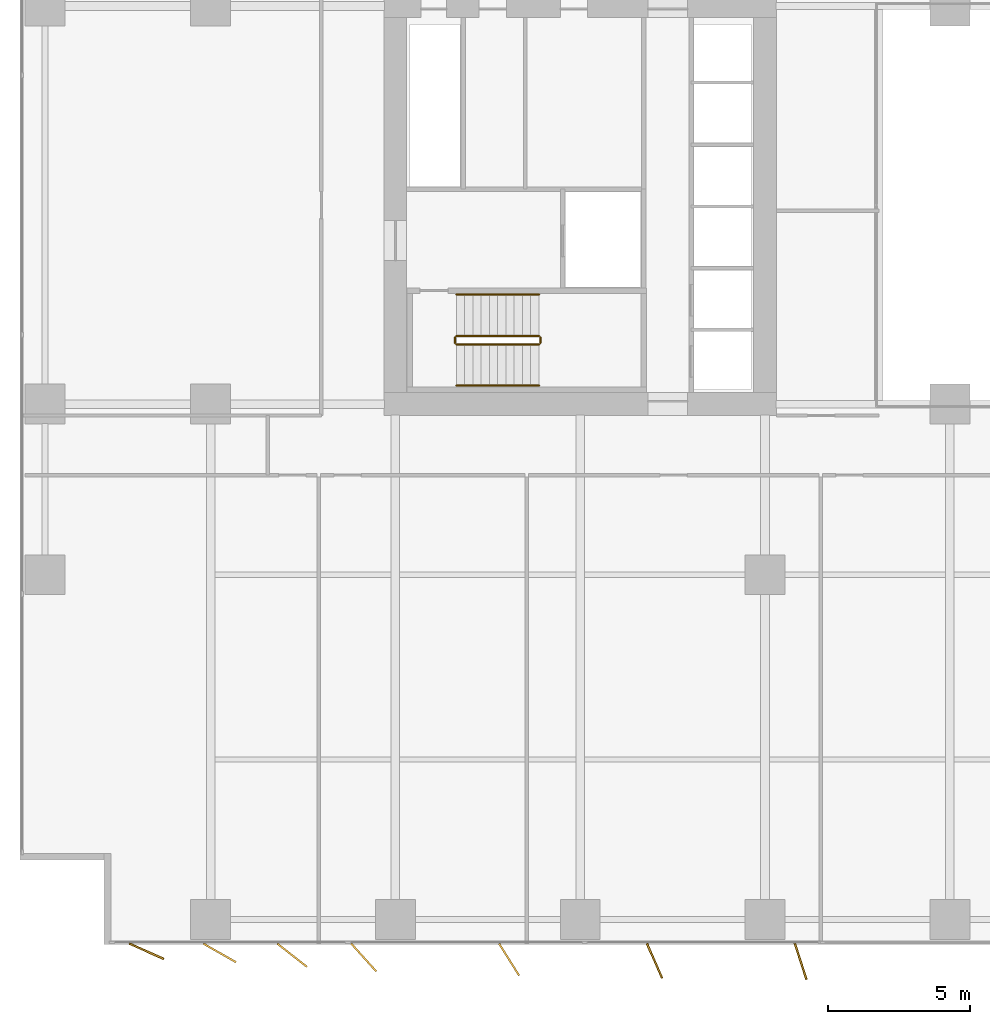
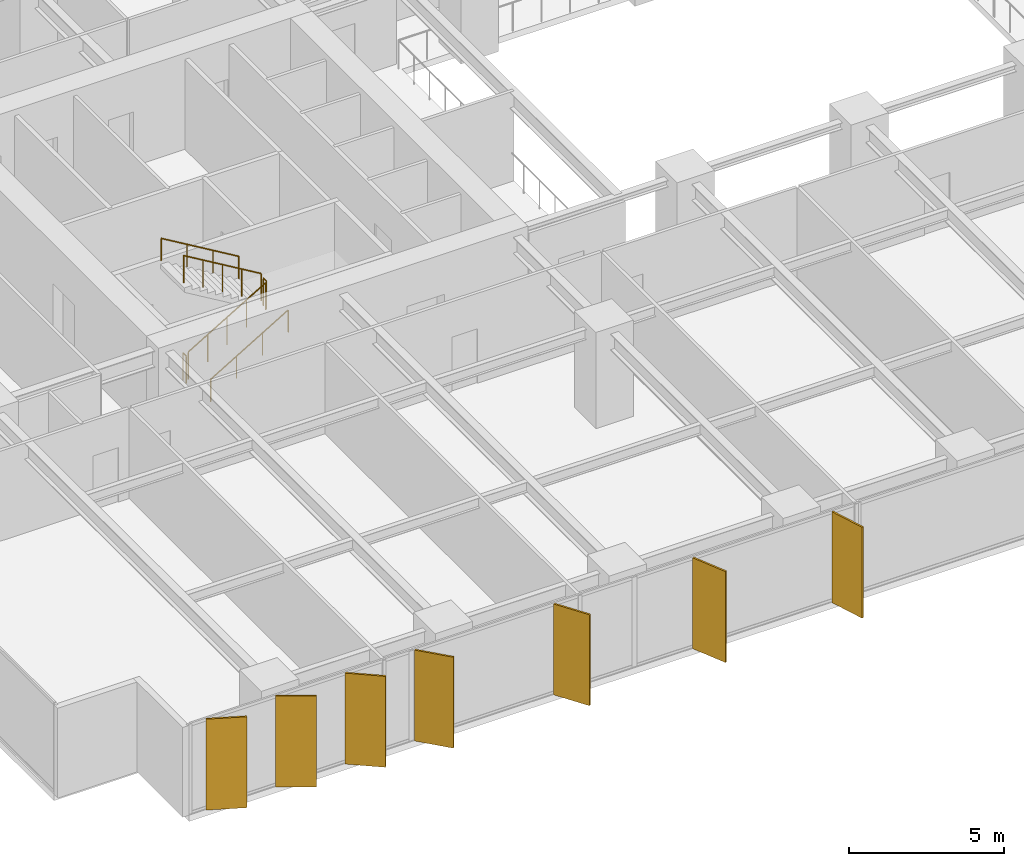
# One storey, part 17 of 20: 7 shading devices, 6 railings.
"""IFC4 building model written with IfcOpenShell, lengths in metres."""

import ifcopenshell
import ifcopenshell.guid

model = None  # the IFC model being written
_history = None  # IfcOwnerHistory: only IFC2X3 demands one
_inside = {}  # id of a spatial element -> (the spatial element, [elements in it])
_under = {}  # id of a project, library or spatial element -> (it, [spatial elements below it])
_declared = {}  # id of a project -> (the project, [libraries it declares])
_typed = {}  # id of a type object -> (the type object, [elements of that type])
_made_of = {}  # id of a material, layer set ... -> (it, [elements and type objects made of it])


def new_model(schema):
    """Start an empty IFC model of exactly this schema.

    Asked for "IFC4X3", IfcOpenShell would pick the latest addendum, in which some entities
    have other attributes; the version numbers below select the first issue.
    IFC2X3 requires an IfcOwnerHistory on every rooted entity: one is made here for all.
    """
    global model, _history
    if schema == "IFC4X3":
        model = ifcopenshell.file(schema_version=(4, 3, 0, 0))
    else:
        model = ifcopenshell.file(schema=schema)
    _inside.clear()
    _under.clear()
    _declared.clear()
    _typed.clear()
    _made_of.clear()
    _history = None
    if model.schema == "IFC2X3":
        org = make("IfcOrganization", Name="unknown")
        user = make(
            "IfcPersonAndOrganization",
            ThePerson=make("IfcPerson", FamilyName="unknown"),
            TheOrganization=org,
        )
        app = make(
            "IfcApplication",
            ApplicationDeveloper=org,
            Version="unknown",
            ApplicationFullName="unknown",
            ApplicationIdentifier="unknown",
        )
        _history = make(
            "IfcOwnerHistory",
            OwningUser=user,
            OwningApplication=app,
            ChangeAction="ADDED",
            CreationDate=0,
        )
    return model


def make(cls, **values):
    """One entity of the class cls with the attributes given. An attribute that is None is left unset."""
    return model.create_entity(
        cls, **{name: value for name, value in values.items() if value is not None}
    )


def rooted(cls, **values):
    """An entity with a GlobalId (a new one), such as an element, a storey or a relation."""
    return make(cls, GlobalId=ifcopenshell.guid.new(), OwnerHistory=_history, **values)


def si_unit(unit_type, name, prefix=None):
    """IfcSIUnit, for example si_unit("LENGTHUNIT", "METRE", prefix="MILLI")."""
    return make("IfcSIUnit", UnitType=unit_type, Prefix=prefix, Name=name)


def assignment(units):
    """IfcUnitAssignment: the units of a project."""
    return None if units is None else make("IfcUnitAssignment", Units=units)


def point(xyz):
    """IfcCartesianPoint."""
    return None if xyz is None else make("IfcCartesianPoint", Coordinates=xyz)


def direction(xyz):
    """IfcDirection."""
    return None if xyz is None else make("IfcDirection", DirectionRatios=xyz)


def frame(location, z_axis=None, x_axis=None):
    """IfcAxis2Placement3D, a coordinate frame: its origin and axes. An axis left out is left unset."""
    return make(
        "IfcAxis2Placement3D",
        Location=point(location),
        Axis=direction(z_axis),
        RefDirection=direction(x_axis),
    )


def frame_2d(location, x_axis=None):
    """IfcAxis2Placement2D, a coordinate frame in the plane: its origin and x axis."""
    return make(
        "IfcAxis2Placement2D", Location=point(location), RefDirection=direction(x_axis)
    )


def origin():
    """The frame at (0, 0, 0) with its axes left unset."""
    return frame((0.0, 0.0, 0.0))


def origin_2d():
    """The frame at (0, 0) in the plane with its x axis left unset."""
    return frame_2d((0.0, 0.0))


def place(relative_to, where):
    """IfcLocalPlacement: puts the frame where relative to a parent placement (None: the world)."""
    return make(
        "IfcLocalPlacement", PlacementRelTo=relative_to, RelativePlacement=where
    )


def context(
    kind, dimensions, precision=None, world=None, true_north=None, identifier=None
):
    """IfcGeometricRepresentationContext, for example the 3D "Model" context."""
    return make(
        "IfcGeometricRepresentationContext",
        ContextIdentifier=identifier,
        ContextType=kind,
        CoordinateSpaceDimension=dimensions,
        Precision=precision,
        WorldCoordinateSystem=world,
        TrueNorth=true_north,
    )


def subcontext(parent, identifier, kind, view, scale=None):
    """IfcGeometricRepresentationSubContext, for example "Body" below "Model"."""
    return make(
        "IfcGeometricRepresentationSubContext",
        ContextIdentifier=identifier,
        ContextType=kind,
        ParentContext=parent,
        TargetScale=scale,
        TargetView=view,
    )


def project(units=None, contexts=None):
    """IfcProject with its units and contexts."""
    return rooted(
        "IfcProject",
        Name="project",
        RepresentationContexts=contexts,
        UnitsInContext=assignment(units),
    )


def spatial(cls, under=None, at=None, **own):
    """A site, building, storey or space (cls), placed at a placement, below another one or the project."""
    s = rooted(cls, ObjectPlacement=at, **own)
    if under is not None:
        _under.setdefault(under.id(), (under, []))[1].append(s)
    return s


def profile(cls, at=None, kind="AREA", **sizes):
    """A parametric profile (cls). Its sizes go by their IFC names, for example OverallWidth=200.0."""
    return make(cls, ProfileType=kind, Position=at, **sizes)


def rectangle(**sizes):
    """IfcRectangleProfileDef."""
    return profile("IfcRectangleProfileDef", **sizes)


def circle(**sizes):
    """IfcCircleProfileDef."""
    return profile("IfcCircleProfileDef", **sizes)


def extrude(swept, where, along, depth):
    """IfcExtrudedAreaSolid: the profile swept, set in the frame where, extruded along a direction by depth."""
    return make(
        "IfcExtrudedAreaSolid",
        SweptArea=swept,
        Position=where,
        ExtrudedDirection=direction(along),
        Depth=depth,
    )


def shape(context_of_items, identifier, shape_type, items):
    """IfcShapeRepresentation: the items that make up one representation, for example the "Body"."""
    return make(
        "IfcShapeRepresentation",
        ContextOfItems=context_of_items,
        RepresentationIdentifier=identifier,
        RepresentationType=shape_type,
        Items=items,
    )


def material(Name=None, Category=None):
    """IfcMaterial."""
    return make("IfcMaterial", Name=Name, Category=Category)


def layer(
    of_material, thickness, ventilated=None, Name=None, Category=None, Priority=None
):
    """IfcMaterialLayer: one layer of a wall or slab, of a material (None: an air gap)."""
    return make(
        "IfcMaterialLayer",
        Material=of_material,
        LayerThickness=thickness,
        IsVentilated=ventilated,
        Name=Name,
        Category=Category,
        Priority=Priority,
    )


def layer_set(layers, Name=None):
    """IfcMaterialLayerSet."""
    return make("IfcMaterialLayerSet", MaterialLayers=layers, LayerSetName=Name)


def made_of(thing, what):
    """Note that an element or type object is made of a material, layer set ...; save() writes the relation."""
    if what is not None:
        _made_of.setdefault(what.id(), (what, []))[1].append(thing)
    return thing


def type_object(cls, material=None, **own):
    """A type object (cls), such as IfcWallType, which elements share."""
    return made_of(rooted(cls, **own), material)


def element(
    cls,
    number,
    at=None,
    inside=None,
    cuts=None,
    type_object=None,
    material=None,
    context=None,
    identifier="Body",
    shape_type=None,
    held_by="IfcProductDefinitionShape",
    body=None,
    shapes=None,
    **own,
):
    """One element of the class cls, such as IfcWall. Its Tag is "e" and its number.

    at: its placement. inside: the storey or other place that contains it. cuts: it is an
    opening in that element (IfcRelVoidsElement). A single representation is given by context,
    identifier, shape_type and body (its items); several are given by shapes. held_by: the class
    of the entity that holds the representations. save() writes the other relations.
    """
    e = rooted(cls, Tag="e%d" % number, ObjectPlacement=at, **own)
    if body is not None:
        shapes = [shape(context, identifier, shape_type, body)]
    if shapes is not None:
        e.Representation = make(held_by, Representations=shapes)
    if inside is not None:
        _inside.setdefault(inside.id(), (inside, []))[1].append(e)
    if cuts is not None:
        rooted(
            "IfcRelVoidsElement", RelatingBuildingElement=cuts, RelatedOpeningElement=e
        )
    if type_object is not None:
        _typed.setdefault(type_object.id(), (type_object, []))[1].append(e)
    return made_of(e, material)


def aggregate(whole, parts):
    """IfcRelAggregates: a whole, such as a stair, and the parts it consists of."""
    return rooted("IfcRelAggregates", RelatingObject=whole, RelatedObjects=parts)


def save(model, path):
    """Write the relations noted so far, then the file.

    IfcRelAggregates (storeys below a building ...), IfcRelContainedInSpatialStructure (elements
    in a storey), IfcRelDefinesByType, IfcRelAssociatesMaterial and IfcRelDeclares: one each for
    every whole, place, type object, material and project.
    """
    for whole, parts in _under.values():
        aggregate(whole, parts)
    for where, things in _inside.values():
        rooted(
            "IfcRelContainedInSpatialStructure",
            RelatedElements=things,
            RelatingStructure=where,
        )
    for kind, things in _typed.values():
        rooted("IfcRelDefinesByType", RelatedObjects=things, RelatingType=kind)
    for what, things in _made_of.values():
        rooted("IfcRelAssociatesMaterial", RelatedObjects=things, RelatingMaterial=what)
    for by, libraries in _declared.values():
        rooted("IfcRelDeclares", RelatingContext=by, RelatedDefinitions=libraries)
    model.write(path)


model = new_model("IFC4")

# Units and contexts
model_context = context("Model", 3, precision=1e-05, world=origin(), true_north=direction((0.0, 1.0)))
body_context = subcontext(model_context, "Body", "Model", "MODEL_VIEW")
ifc_project = project(units=[si_unit("LENGTHUNIT", "METRE"), si_unit("AREAUNIT", "SQUARE_METRE"), si_unit("VOLUMEUNIT", "CUBIC_METRE"), si_unit("PLANEANGLEUNIT", "RADIAN"), si_unit("MASSUNIT", "GRAM", prefix="KILO")], contexts=[model_context])

# Site, building, storey
site_placement = place(None, origin())
site = spatial("IfcSite", under=ifc_project, at=site_placement, CompositionType="ELEMENT")
building_placement = place(site_placement, origin())
building = spatial("IfcBuilding", under=site, at=building_placement, Name="Putna Gate Headquarters", CompositionType="ELEMENT")
storey_placement = place(building_placement, frame((0.0, 0.0, 62.0)))
storey = spatial("IfcBuildingStorey", under=building, at=storey_placement, Name="L14", CompositionType="ELEMENT", Elevation=62.0)

# Railings
ifc_material_1 = material(Name="Powder-coated steel stair guardrail", Category="steel")
railing_type_1 = type_object("IfcRailingType", Name="RAIL-STAIR-GUARD-1100", PredefinedType="GUARDRAIL", material=ifc_material_1)
railing_1_placement = place(storey_placement, frame((15.14990234375, 21.10009765625, 0.172607421875)))
element("IfcRailing", 1, at=railing_1_placement, inside=storey, type_object=railing_type_1, Name="L14 ST1 stair guard 1", PredefinedType="GUARDRAIL", context=body_context, shape_type="SweptSolid", body=[
    extrude(circle(Radius=0.02392578125, at=origin_2d()), frame((0.0, 0.0, 1.076171875), z_axis=(0.859160404282, 0.0, 0.51170636083), x_axis=(0.0, 1.0, 0.0)), (0.0, 0.0, 1.0), 3.37548828125),
    extrude(circle(Radius=0.02099609375, at=origin_2d()), origin(), (0.0, 0.0, 1.0), 1.052001953125),
    extrude(circle(Radius=0.02099609375, at=origin_2d()), frame((0.72509765625, 0.0, 0.431884765625)), (0.0, 0.0, 1.0), 1.052001953125),
    extrude(circle(Radius=0.02099609375, at=origin_2d()), frame((1.4501953125, 0.0, 0.86376953125)), (0.0, 0.0, 1.0), 1.052001953125),
    extrude(circle(Radius=0.02099609375, at=origin_2d()), frame((2.175048828125, 0.0, 1.29541015625)), (0.0, 0.0, 1.0), 1.052001953125),
    extrude(circle(Radius=0.02099609375, at=origin_2d()), frame((2.900146484375, 0.0, 1.727294921875)), (0.0, 0.0, 1.0), 1.052001953125),
])
railing_2_placement = place(storey_placement, frame((18.10009765625, 21.14990234375, 1.89990234375)))
element("IfcRailing", 2, at=railing_2_placement, inside=storey, type_object=railing_type_1, Name="L14 ST1 stair guard 2", PredefinedType="GUARDRAIL", context=body_context, shape_type="SweptSolid", body=[
    extrude(circle(Radius=0.02392578125, at=origin_2d()), frame((0.0, 0.0, 1.076171875), z_axis=(0.0, 1.0, 0.0), x_axis=(-1.0, 0.0, 0.0)), (0.0, 0.0, 1.0), 0.2001953125),
    extrude(circle(Radius=0.02099609375, at=origin_2d()), origin(), (0.0, 0.0, 1.0), 1.052001953125),
    extrude(circle(Radius=0.02099609375, at=origin_2d()), frame((0.0, 0.2001953125, 0.0)), (0.0, 0.0, 1.0), 1.052001953125),
])
railing_3_placement = place(storey_placement, frame((18.050048828125, 21.39990234375, 2.07275390625)))
element("IfcRailing", 3, at=railing_3_placement, inside=storey, type_object=railing_type_1, Name="L14 ST1 stair guard 3", PredefinedType="GUARDRAIL", context=body_context, shape_type="SweptSolid", body=[
    extrude(circle(Radius=0.02392578125, at=origin_2d()), frame((0.0, 0.0, 1.076171875), z_axis=(-0.859160404282, 0.0, 0.51170636083), x_axis=(0.0, -1.0, 0.0)), (0.0, 0.0, 1.0), 3.37548828125),
    extrude(circle(Radius=0.02099609375, at=origin_2d()), origin(), (0.0, 0.0, 1.0), 1.052001953125),
    extrude(circle(Radius=0.02099609375, at=origin_2d()), frame((-0.72509765625, 0.0, 0.431884765625)), (0.0, 0.0, 1.0), 1.052001953125),
    extrude(circle(Radius=0.02099609375, at=origin_2d()), frame((-1.4501953125, 0.0, 0.86376953125)), (0.0, 0.0, 1.0), 1.052001953125),
    extrude(circle(Radius=0.02099609375, at=origin_2d()), frame((-2.175048828125, 0.0, 1.29541015625)), (0.0, 0.0, 1.0), 1.052001953125),
    extrude(circle(Radius=0.02099609375, at=origin_2d()), frame((-2.900146484375, 0.0, 1.727294921875)), (0.0, 0.0, 1.0), 1.052001953125),
])
railing_4_placement = place(storey_placement, frame((15.10009765625, 21.14990234375, 0.0)))
element("IfcRailing", 4, at=railing_4_placement, inside=storey, type_object=railing_type_1, Name="L14 ST1 stair guard 4", PredefinedType="GUARDRAIL", context=body_context, shape_type="SweptSolid", body=[
    extrude(circle(Radius=0.02392578125, at=origin_2d()), frame((0.0, 0.0, 1.076171875), z_axis=(0.0, 1.0, 0.0), x_axis=(-1.0, 0.0, 0.0)), (0.0, 0.0, 1.0), 0.2001953125),
    extrude(circle(Radius=0.02099609375, at=origin_2d()), origin(), (0.0, 0.0, 1.0), 1.052001953125),
    extrude(circle(Radius=0.02099609375, at=origin_2d()), frame((0.0, 0.2001953125, 0.0)), (0.0, 0.0, 1.0), 1.052001953125),
])
ifc_material_2 = material(Name="Brushed stainless steel handrail", Category="steel")
railing_type_2 = type_object("IfcRailingType", Name="RAIL-STAIR-HAND-900", PredefinedType="HANDRAIL", material=ifc_material_2)
railing_5_placement = place(storey_placement, frame((15.14990234375, 19.64990234375, 0.172607421875)))
element("IfcRailing", 5, at=railing_5_placement, inside=storey, type_object=railing_type_2, Name="L14 ST1 stair handrail 1", PredefinedType="HANDRAIL", context=body_context, shape_type="SweptSolid", body=[
    extrude(circle(Radius=0.02392578125, at=origin_2d()), frame((0.0, 0.0, 0.8759765625), z_axis=(0.859160404282, 0.0, 0.51170636083), x_axis=(0.0, 1.0, 0.0)), (0.0, 0.0, 1.0), 3.37548828125),
    extrude(circle(Radius=0.02099609375, at=origin_2d()), origin(), (0.0, 0.0, 1.0), 0.851806640625),
    extrude(circle(Radius=0.02099609375, at=origin_2d()), frame((0.966796875, 0.0, 0.57568359375)), (0.0, 0.0, 1.0), 0.851806640625),
    extrude(circle(Radius=0.02099609375, at=origin_2d()), frame((1.933349609375, 0.0, 1.151611328125)), (0.0, 0.0, 1.0), 0.851806640625),
    extrude(circle(Radius=0.02099609375, at=origin_2d()), frame((2.900146484375, 0.0, 1.727294921875)), (0.0, 0.0, 1.0), 0.851806640625),
])
railing_6_placement = place(storey_placement, frame((18.050048828125, 22.85009765625, 2.07275390625)))
element("IfcRailing", 6, at=railing_6_placement, inside=storey, type_object=railing_type_2, Name="L14 ST1 stair handrail 2", PredefinedType="HANDRAIL", context=body_context, shape_type="SweptSolid", body=[
    extrude(circle(Radius=0.02392578125, at=origin_2d()), frame((0.0, 0.0, 0.8759765625), z_axis=(-0.859160404282, 0.0, 0.51170636083), x_axis=(0.0, -1.0, 0.0)), (0.0, 0.0, 1.0), 3.37548828125),
    extrude(circle(Radius=0.02099609375, at=origin_2d()), origin(), (0.0, 0.0, 1.0), 0.851806640625),
    extrude(circle(Radius=0.02099609375, at=origin_2d()), frame((-0.966796875, 0.0, 0.57568359375)), (0.0, 0.0, 1.0), 0.851806640625),
    extrude(circle(Radius=0.02099609375, at=origin_2d()), frame((-1.933349609375, 0.0, 1.151611328125)), (0.0, 0.0, 1.0), 0.851806640625),
    extrude(circle(Radius=0.02099609375, at=origin_2d()), frame((-2.900146484375, 0.0, 1.727294921875)), (0.0, 0.0, 1.0), 0.851806640625),
])

# Shading devices
ifc_material_3 = material(Name="Anodised architectural bronze aluminium fin", Category="aluminium")
ifc_layer = layer(ifc_material_3, 0.06494140625)
ifc_layer_set = layer_set([ifc_layer], Name="Anodised architectural bronze aluminium fin")
shading_device_type = type_object("IfcShadingDeviceType", Name="SHADE-BRONZE-FIN-1320", PredefinedType="USERDEFINED", material=ifc_layer_set)
for number, where, z_axis, x_axis, name in (
    (7, (4.2529296875, -0.2431640625, -0.02001953125), (0.0, 0.0, 1.0), (0.913687379856, -0.40641773078, 0.0), "L14 Bronze Vertical Shading Fin S1"),
    (8, (6.82373046875, -0.30126953125, -0.02001953125), (0.0, 0.0, 1.0), (0.869322458298, -0.494245347472, 0.0), "L14 Bronze Vertical Shading Fin S2"),
    (9, (9.36962890625, -0.3818359375, -0.02001953125), (0.0, 0.0, 1.0), (0.787473187632, -0.616348909921, 0.0), "L14 Bronze Vertical Shading Fin S3"),
    (10, (11.8916015625, -0.465576171875, -0.02001953125), (0.0, 0.0, 1.0), (0.669130606359, -0.743144825477, 0.0), "L14 Bronze Vertical Shading Fin S4"),
    (11, (17.000244140625, -0.534423828125, -0.02001953125), (0.0, 0.0, 1.0), (0.530659123936, -0.847585331506, 0.0), "L14 Bronze Vertical Shading Fin S5"),
    (12, (22.114501953125, -0.57958984375, -0.02001953125), (0.0, 0.0, 1.0), (0.400668879095, -0.916222925562, 0.0), "L14 Bronze Vertical Shading Fin S6"),
    (13, (27.253662109375, -0.602783203125, -0.02001953125), (0.0, 0.0, 1.0), (0.308684994204, -0.951164325631, 0.0), "L14 Bronze Vertical Shading Fin S7"),
):
    element("IfcShadingDevice", number, at=place(storey_placement, frame(where, z_axis=z_axis, x_axis=x_axis)), inside=storey, type_object=shading_device_type, Name=name, ObjectType="FIN", PredefinedType="USERDEFINED", context=body_context, shape_type="SweptSolid", body=[
        extrude(rectangle(XDim=1.320068359375, YDim=0.06494140625, at=origin_2d()), origin(), (0.0, 0.0, 1.0), 3.590087890625),
    ])

save(model, "model.ifc")
